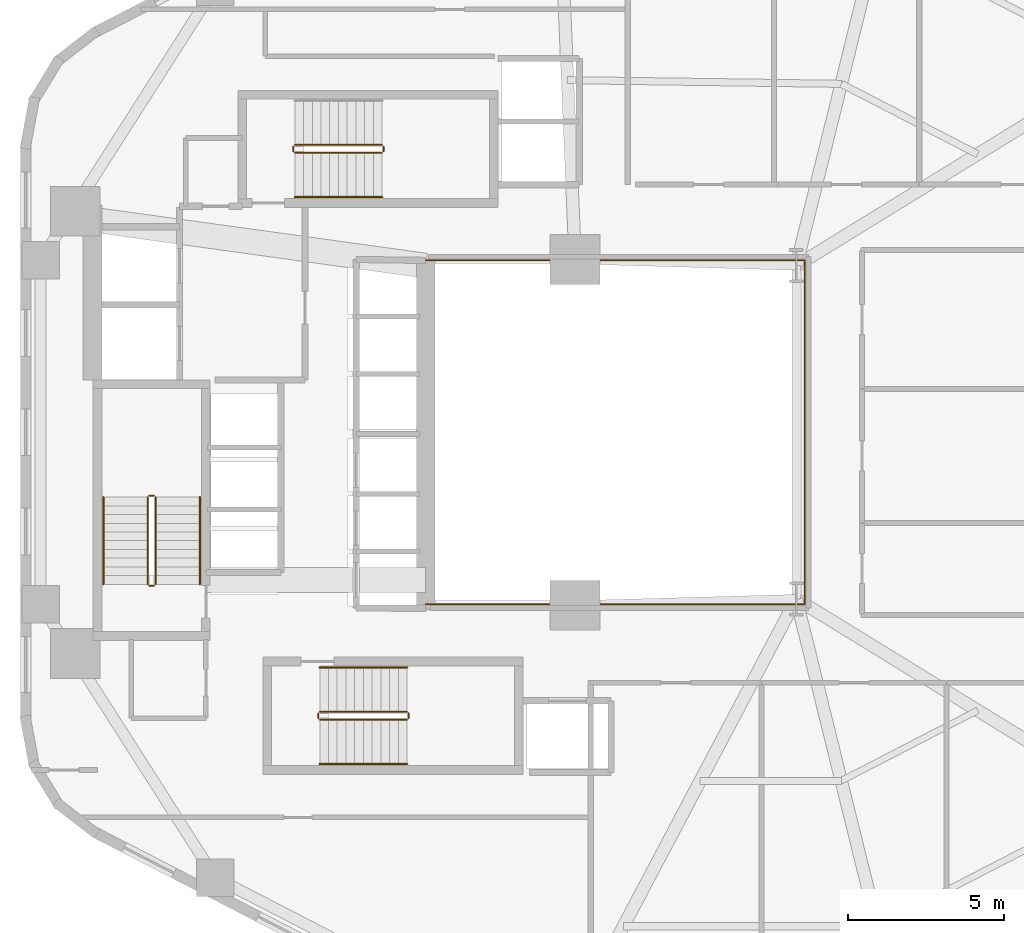
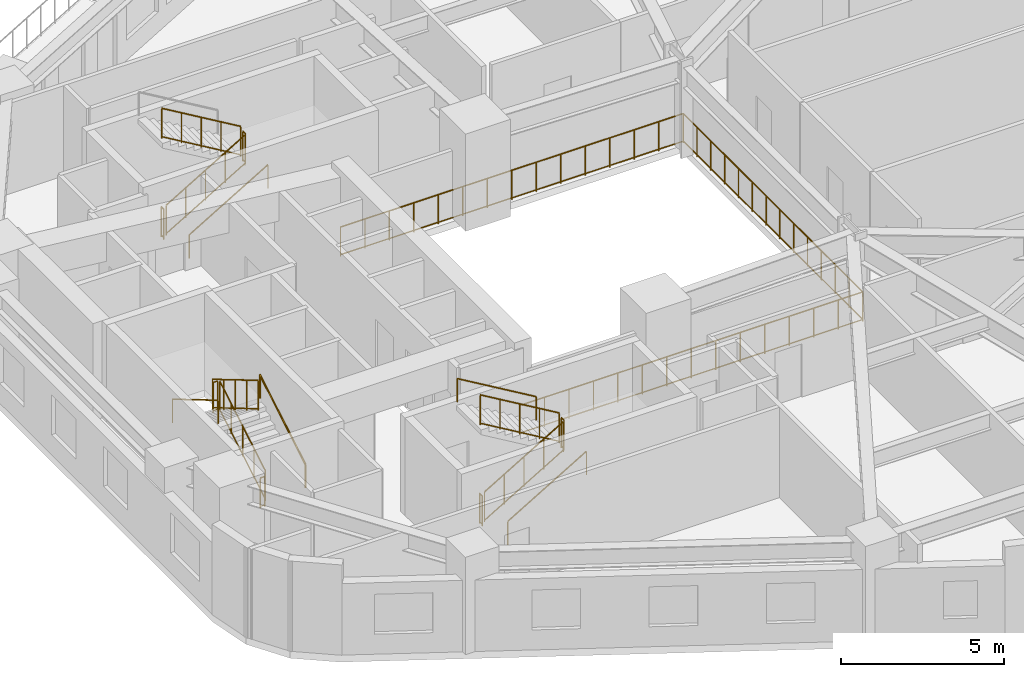
# One storey, part 7 of 8: 18 railings.
"""IFC4 building model written with IfcOpenShell, lengths in metres."""

from ifc_helpers import new_model, si_unit, direction, frame, origin, origin_2d, place, context, subcontext, project, spatial, circle, extrude, material, type_object, element, save


model = new_model("IFC4")

# Units and contexts
model_context = context("Model", 3, precision=1e-05, world=origin(), true_north=direction((0.0, 1.0)))
body_context = subcontext(model_context, "Body", "Model", "MODEL_VIEW")
ifc_project = project(units=[si_unit("LENGTHUNIT", "METRE"), si_unit("AREAUNIT", "SQUARE_METRE"), si_unit("VOLUMEUNIT", "CUBIC_METRE"), si_unit("PLANEANGLEUNIT", "RADIAN"), si_unit("MASSUNIT", "GRAM", prefix="KILO"), si_unit("THERMODYNAMICTEMPERATUREUNIT", "KELVIN"), si_unit("POWERUNIT", "WATT")], contexts=[model_context])

# Site, building, storey
site_placement = place(None, origin())
site = spatial("IfcSite", under=ifc_project, at=site_placement, CompositionType="ELEMENT")
building_placement = place(site_placement, origin())
building = spatial("IfcBuilding", under=site, at=building_placement, Name="Skarre Station Tower", CompositionType="ELEMENT")
storey_placement = place(building_placement, frame((0.0, 0.0, 45.25)))
storey = spatial("IfcBuildingStorey", under=building, at=storey_placement, Name="L11", CompositionType="ELEMENT", Elevation=45.25)

# Railings
ifc_material_1 = material(Name="Bronze Anodized Steel & Laminated Glass Balustrade", Category="steel")
railing_type_1 = type_object("IfcRailingType", Name="Atrium Void & Mezzanine Guard Balustrade 1120", PredefinedType="GUARDRAIL", material=ifc_material_1)
railing_1_placement = place(storey_placement, frame((27.550048828125, 18.47998046875, 0.0)))
element("IfcRailing", 1, at=railing_1_placement, inside=storey, type_object=railing_type_1, Name="L11 Atrium Void Guard Balustrade", PredefinedType="GUARDRAIL", context=body_context, shape_type="SweptSolid", body=[
    extrude(circle(Radius=0.02392578125, at=origin_2d()), frame((0.0, 0.0, 1.09619140625), z_axis=(1.0, 0.0, 0.0), x_axis=(0.0, 1.0, 0.0)), (0.0, 0.0, 1.0), 12.169921875),
    extrude(circle(Radius=0.02099609375, at=origin_2d()), frame((0.0, 0.0, 0.06005859375), z_axis=(1.0, 0.0, 0.0), x_axis=(0.0, 1.0, 0.0)), (0.0, 0.0, 1.0), 12.169921875),
    extrude(circle(Radius=0.02392578125, at=origin_2d()), frame((12.169921875, 0.0, 1.09619140625), z_axis=(0.0, 1.0, 0.0), x_axis=(-1.0, 0.0, 0.0)), (0.0, 0.0, 1.0), 11.0400390625),
    extrude(circle(Radius=0.02099609375, at=origin_2d()), frame((12.169921875, 0.0, 0.06005859375), z_axis=(0.0, 1.0, 0.0), x_axis=(-1.0, 0.0, 0.0)), (0.0, 0.0, 1.0), 11.0400390625),
    extrude(circle(Radius=0.02392578125, at=origin_2d()), frame((12.169921875, 11.0400390625, 1.09619140625), z_axis=(-1.0, 0.0, 0.0), x_axis=(0.0, -1.0, 0.0)), (0.0, 0.0, 1.0), 12.169921875),
    extrude(circle(Radius=0.02099609375, at=origin_2d()), frame((12.169921875, 11.0400390625, 0.06005859375), z_axis=(-1.0, 0.0, 0.0), x_axis=(0.0, -1.0, 0.0)), (0.0, 0.0, 1.0), 12.169921875),
    extrude(circle(Radius=0.02099609375, at=origin_2d()), origin(), (0.0, 0.0, 1.0), 1.072021484375),
    extrude(circle(Radius=0.02099609375, at=origin_2d()), frame((0.869384765625, 0.0, 0.0)), (0.0, 0.0, 1.0), 1.072021484375),
    extrude(circle(Radius=0.02099609375, at=origin_2d()), frame((1.738525390625, 0.0, 0.0)), (0.0, 0.0, 1.0), 1.072021484375),
    extrude(circle(Radius=0.02099609375, at=origin_2d()), frame((2.60791015625, 0.0, 0.0)), (0.0, 0.0, 1.0), 1.072021484375),
    extrude(circle(Radius=0.02099609375, at=origin_2d()), frame((3.47705078125, 0.0, 0.0)), (0.0, 0.0, 1.0), 1.072021484375),
    extrude(circle(Radius=0.02099609375, at=origin_2d()), frame((4.346435546875, 0.0, 0.0)), (0.0, 0.0, 1.0), 1.072021484375),
    extrude(circle(Radius=0.02099609375, at=origin_2d()), frame((5.215576171875, 0.0, 0.0)), (0.0, 0.0, 1.0), 1.072021484375),
    extrude(circle(Radius=0.02099609375, at=origin_2d()), frame((6.0849609375, 0.0, 0.0)), (0.0, 0.0, 1.0), 1.072021484375),
    extrude(circle(Radius=0.02099609375, at=origin_2d()), frame((6.954345703125, 0.0, 0.0)), (0.0, 0.0, 1.0), 1.072021484375),
    extrude(circle(Radius=0.02099609375, at=origin_2d()), frame((7.823486328125, 0.0, 0.0)), (0.0, 0.0, 1.0), 1.072021484375),
    extrude(circle(Radius=0.02099609375, at=origin_2d()), frame((8.69287109375, 0.0, 0.0)), (0.0, 0.0, 1.0), 1.072021484375),
    extrude(circle(Radius=0.02099609375, at=origin_2d()), frame((9.56201171875, 0.0, 0.0)), (0.0, 0.0, 1.0), 1.072021484375),
    extrude(circle(Radius=0.02099609375, at=origin_2d()), frame((10.431396484375, 0.0, 0.0)), (0.0, 0.0, 1.0), 1.072021484375),
    extrude(circle(Radius=0.02099609375, at=origin_2d()), frame((11.300537109375, 0.0, 0.0)), (0.0, 0.0, 1.0), 1.072021484375),
    extrude(circle(Radius=0.02099609375, at=origin_2d()), frame((12.169921875, 0.0, 0.0)), (0.0, 0.0, 1.0), 1.072021484375),
    extrude(circle(Radius=0.02099609375, at=origin_2d()), frame((12.169921875, 0.84912109375, 0.0)), (0.0, 0.0, 1.0), 1.072021484375),
    extrude(circle(Radius=0.02099609375, at=origin_2d()), frame((12.169921875, 1.698486328125, 0.0)), (0.0, 0.0, 1.0), 1.072021484375),
    extrude(circle(Radius=0.02099609375, at=origin_2d()), frame((12.169921875, 2.547607421875, 0.0)), (0.0, 0.0, 1.0), 1.072021484375),
    extrude(circle(Radius=0.02099609375, at=origin_2d()), frame((12.169921875, 3.39697265625, 0.0)), (0.0, 0.0, 1.0), 1.072021484375),
    extrude(circle(Radius=0.02099609375, at=origin_2d()), frame((12.169921875, 4.24609375, 0.0)), (0.0, 0.0, 1.0), 1.072021484375),
    extrude(circle(Radius=0.02099609375, at=origin_2d()), frame((12.169921875, 5.095458984375, 0.0)), (0.0, 0.0, 1.0), 1.072021484375),
    extrude(circle(Radius=0.02099609375, at=origin_2d()), frame((12.169921875, 5.944580078125, 0.0)), (0.0, 0.0, 1.0), 1.072021484375),
    extrude(circle(Radius=0.02099609375, at=origin_2d()), frame((12.169921875, 6.7939453125, 0.0)), (0.0, 0.0, 1.0), 1.072021484375),
    extrude(circle(Radius=0.02099609375, at=origin_2d()), frame((12.169921875, 7.64306640625, 0.0)), (0.0, 0.0, 1.0), 1.072021484375),
    extrude(circle(Radius=0.02099609375, at=origin_2d()), frame((12.169921875, 8.492431640625, 0.0)), (0.0, 0.0, 1.0), 1.072021484375),
    extrude(circle(Radius=0.02099609375, at=origin_2d()), frame((12.169921875, 9.341552734375, 0.0)), (0.0, 0.0, 1.0), 1.072021484375),
    extrude(circle(Radius=0.02099609375, at=origin_2d()), frame((12.169921875, 10.19091796875, 0.0)), (0.0, 0.0, 1.0), 1.072021484375),
    extrude(circle(Radius=0.02099609375, at=origin_2d()), frame((12.169921875, 11.0400390625, 0.0)), (0.0, 0.0, 1.0), 1.072021484375),
    extrude(circle(Radius=0.02099609375, at=origin_2d()), frame((11.300537109375, 11.0400390625, 0.0)), (0.0, 0.0, 1.0), 1.072021484375),
    extrude(circle(Radius=0.02099609375, at=origin_2d()), frame((10.431396484375, 11.0400390625, 0.0)), (0.0, 0.0, 1.0), 1.072021484375),
    extrude(circle(Radius=0.02099609375, at=origin_2d()), frame((9.56201171875, 11.0400390625, 0.0)), (0.0, 0.0, 1.0), 1.072021484375),
    extrude(circle(Radius=0.02099609375, at=origin_2d()), frame((8.69287109375, 11.0400390625, 0.0)), (0.0, 0.0, 1.0), 1.072021484375),
    extrude(circle(Radius=0.02099609375, at=origin_2d()), frame((7.823486328125, 11.0400390625, 0.0)), (0.0, 0.0, 1.0), 1.072021484375),
    extrude(circle(Radius=0.02099609375, at=origin_2d()), frame((6.954345703125, 11.0400390625, 0.0)), (0.0, 0.0, 1.0), 1.072021484375),
    extrude(circle(Radius=0.02099609375, at=origin_2d()), frame((6.0849609375, 11.0400390625, 0.0)), (0.0, 0.0, 1.0), 1.072021484375),
    extrude(circle(Radius=0.02099609375, at=origin_2d()), frame((5.215576171875, 11.0400390625, 0.0)), (0.0, 0.0, 1.0), 1.072021484375),
    extrude(circle(Radius=0.02099609375, at=origin_2d()), frame((4.346435546875, 11.0400390625, 0.0)), (0.0, 0.0, 1.0), 1.072021484375),
    extrude(circle(Radius=0.02099609375, at=origin_2d()), frame((3.47705078125, 11.0400390625, 0.0)), (0.0, 0.0, 1.0), 1.072021484375),
    extrude(circle(Radius=0.02099609375, at=origin_2d()), frame((2.60791015625, 11.0400390625, 0.0)), (0.0, 0.0, 1.0), 1.072021484375),
    extrude(circle(Radius=0.02099609375, at=origin_2d()), frame((1.738525390625, 11.0400390625, 0.0)), (0.0, 0.0, 1.0), 1.072021484375),
    extrude(circle(Radius=0.02099609375, at=origin_2d()), frame((0.869384765625, 11.0400390625, 0.0)), (0.0, 0.0, 1.0), 1.072021484375),
    extrude(circle(Radius=0.02099609375, at=origin_2d()), frame((0.0, 11.0400390625, 0.0)), (0.0, 0.0, 1.0), 1.072021484375),
])
ifc_material_2 = material(Name="Powder-Coated Tubular Steel", Category="steel")
railing_type_2 = type_object("IfcRailingType", Name="Painted Steel Ramp & Stair Handrail 920", PredefinedType="HANDRAIL", material=ifc_material_2)
railing_2_placement = place(storey_placement, frame((20.300048828125, 19.1201171875, 0.166015625)))
element("IfcRailing", 2, at=railing_2_placement, inside=storey, type_object=railing_type_2, Name="L11 ST-1 stair handrail 1", PredefinedType="HANDRAIL", context=body_context, shape_type="SweptSolid", body=[
    extrude(circle(Radius=0.02392578125, at=origin_2d()), frame((0.0, 0.0, 0.8759765625), z_axis=(0.0, 0.860319559791, 0.509755093197), x_axis=(-1.0, 0.0, 0.0)), (0.0, 0.0, 1.0), 3.25439453125),
    extrude(circle(Radius=0.02099609375, at=origin_2d()), origin(), (0.0, 0.0, 1.0), 0.851806640625),
    extrude(circle(Radius=0.02099609375, at=origin_2d()), frame((0.0, 2.7998046875, 1.658935546875)), (0.0, 0.0, 1.0), 0.851806640625),
])
railing_3_placement = place(storey_placement, frame((17.199951171875, 21.919921875, 1.990966796875)))
element("IfcRailing", 3, at=railing_3_placement, inside=storey, type_object=railing_type_2, Name="L11 ST-1 stair handrail 2", PredefinedType="HANDRAIL", context=body_context, shape_type="SweptSolid", body=[
    extrude(circle(Radius=0.02392578125, at=origin_2d()), frame((0.0, 0.0, 0.8759765625), z_axis=(0.0, -0.860319559791, 0.509755093197), x_axis=(1.0, 0.0, 0.0)), (0.0, 0.0, 1.0), 3.25439453125),
    extrude(circle(Radius=0.02099609375, at=origin_2d()), origin(), (0.0, 0.0, 1.0), 0.851806640625),
    extrude(circle(Radius=0.02099609375, at=origin_2d()), frame((0.0, -2.7998046875, 1.658935546875)), (0.0, 0.0, 1.0), 0.851806640625),
])
railing_4_placement = place(storey_placement, frame((24.14990234375, 13.35009765625, 0.166015625)))
element("IfcRailing", 4, at=railing_4_placement, inside=storey, type_object=railing_type_2, Name="L11 ST-2 stair handrail 1", PredefinedType="HANDRAIL", context=body_context, shape_type="SweptSolid", body=[
    extrude(circle(Radius=0.02392578125, at=origin_2d()), frame((0.0, 0.0, 0.8759765625), z_axis=(0.860339051648, 0.0, 0.50972219513), x_axis=(0.0, 1.0, 0.0)), (0.0, 0.0, 1.0), 3.254638671875),
    extrude(circle(Radius=0.02099609375, at=origin_2d()), origin(), (0.0, 0.0, 1.0), 0.851806640625),
    extrude(circle(Radius=0.02099609375, at=origin_2d()), frame((2.800048828125, 0.0, 1.658935546875)), (0.0, 0.0, 1.0), 0.851806640625),
])
railing_5_placement = place(storey_placement, frame((26.949951171875, 16.449951171875, 1.990966796875)))
element("IfcRailing", 5, at=railing_5_placement, inside=storey, type_object=railing_type_2, Name="L11 ST-2 stair handrail 2", PredefinedType="HANDRAIL", context=body_context, shape_type="SweptSolid", body=[
    extrude(circle(Radius=0.02392578125, at=origin_2d()), frame((0.0, 0.0, 0.8759765625), z_axis=(-0.860339051648, 0.0, 0.50972219513), x_axis=(0.0, -1.0, 0.0)), (0.0, 0.0, 1.0), 3.254638671875),
    extrude(circle(Radius=0.02099609375, at=origin_2d()), origin(), (0.0, 0.0, 1.0), 0.851806640625),
    extrude(circle(Radius=0.02099609375, at=origin_2d()), frame((-2.800048828125, 0.0, 1.658935546875)), (0.0, 0.0, 1.0), 0.851806640625),
])
railing_6_placement = place(storey_placement, frame((23.35009765625, 31.550048828125, 0.166015625)))
element("IfcRailing", 6, at=railing_6_placement, inside=storey, type_object=railing_type_2, Name="L11 ST-3 stair handrail 1", PredefinedType="HANDRAIL", context=body_context, shape_type="SweptSolid", body=[
    extrude(circle(Radius=0.02392578125, at=origin_2d()), frame((0.0, 0.0, 0.8759765625), z_axis=(0.860319559791, 0.0, 0.509755093197), x_axis=(0.0, 1.0, 0.0)), (0.0, 0.0, 1.0), 3.25439453125),
    extrude(circle(Radius=0.02099609375, at=origin_2d()), origin(), (0.0, 0.0, 1.0), 0.851806640625),
    extrude(circle(Radius=0.02099609375, at=origin_2d()), frame((2.7998046875, 0.0, 1.658935546875)), (0.0, 0.0, 1.0), 0.851806640625),
])
railing_type_3 = type_object("IfcRailingType", Name="Painted Steel Stairwell Guardrail 1100", PredefinedType="GUARDRAIL", material=ifc_material_2)
railing_7_placement = place(storey_placement, frame((18.8798828125, 19.1201171875, 0.166015625)))
element("IfcRailing", 7, at=railing_7_placement, inside=storey, type_object=railing_type_3, Name="L11 ST-1 stair guard 1", PredefinedType="GUARDRAIL", context=body_context, shape_type="SweptSolid", body=[
    extrude(circle(Radius=0.02392578125, at=origin_2d()), frame((0.0, 0.0, 1.1259765625), z_axis=(0.0, 0.860319559791, 0.509755093197), x_axis=(-1.0, 0.0, 0.0)), (0.0, 0.0, 1.0), 3.25439453125),
    extrude(circle(Radius=0.02099609375, at=origin_2d()), frame((0.0, 0.0, 0.06005859375), z_axis=(0.0, 0.860319559791, 0.509755093197), x_axis=(-1.0, 0.0, 0.0)), (0.0, 0.0, 1.0), 3.25439453125),
    extrude(circle(Radius=0.02099609375, at=origin_2d()), origin(), (0.0, 0.0, 1.0), 1.101806640625),
    extrude(circle(Radius=0.02099609375, at=origin_2d()), frame((0.0, 0.699951171875, 0.414794921875)), (0.0, 0.0, 1.0), 1.101806640625),
    extrude(circle(Radius=0.02099609375, at=origin_2d()), frame((0.0, 1.39990234375, 0.82958984375)), (0.0, 0.0, 1.0), 1.101806640625),
    extrude(circle(Radius=0.02099609375, at=origin_2d()), frame((0.0, 2.099853515625, 1.244140625)), (0.0, 0.0, 1.0), 1.101806640625),
    extrude(circle(Radius=0.02099609375, at=origin_2d()), frame((0.0, 2.7998046875, 1.658935546875)), (0.0, 0.0, 1.0), 1.101806640625),
])
railing_8_placement = place(storey_placement, frame((18.830078125, 21.969970703125, 1.824951171875)))
element("IfcRailing", 8, at=railing_8_placement, inside=storey, type_object=railing_type_3, Name="L11 ST-1 stair guard 2", PredefinedType="GUARDRAIL", context=body_context, shape_type="SweptSolid", body=[
    extrude(circle(Radius=0.02392578125, at=origin_2d()), frame((0.0, 0.0, 1.1259765625), z_axis=(-1.0, 0.0, 0.0), x_axis=(0.0, -1.0, 0.0)), (0.0, 0.0, 1.0), 0.16015625),
    extrude(circle(Radius=0.02099609375, at=origin_2d()), frame((0.0, 0.0, 0.06005859375), z_axis=(-1.0, 0.0, 0.0), x_axis=(0.0, -1.0, 0.0)), (0.0, 0.0, 1.0), 0.16015625),
    extrude(circle(Radius=0.02099609375, at=origin_2d()), origin(), (0.0, 0.0, 1.0), 1.101806640625),
    extrude(circle(Radius=0.02099609375, at=origin_2d()), frame((-0.16015625, 0.0, 0.0)), (0.0, 0.0, 1.0), 1.101806640625),
])
railing_9_placement = place(storey_placement, frame((18.6201171875, 21.919921875, 1.990966796875)))
element("IfcRailing", 9, at=railing_9_placement, inside=storey, type_object=railing_type_3, Name="L11 ST-1 stair guard 3", PredefinedType="GUARDRAIL", context=body_context, shape_type="SweptSolid", body=[
    extrude(circle(Radius=0.02392578125, at=origin_2d()), frame((0.0, 0.0, 1.1259765625), z_axis=(0.0, -0.860319559791, 0.509755093197), x_axis=(1.0, 0.0, 0.0)), (0.0, 0.0, 1.0), 3.25439453125),
    extrude(circle(Radius=0.02099609375, at=origin_2d()), frame((0.0, 0.0, 0.06005859375), z_axis=(0.0, -0.860319559791, 0.509755093197), x_axis=(1.0, 0.0, 0.0)), (0.0, 0.0, 1.0), 3.25439453125),
    extrude(circle(Radius=0.02099609375, at=origin_2d()), origin(), (0.0, 0.0, 1.0), 1.101806640625),
    extrude(circle(Radius=0.02099609375, at=origin_2d()), frame((0.0, -0.699951171875, 0.414794921875)), (0.0, 0.0, 1.0), 1.101806640625),
    extrude(circle(Radius=0.02099609375, at=origin_2d()), frame((0.0, -1.39990234375, 0.82958984375)), (0.0, 0.0, 1.0), 1.101806640625),
    extrude(circle(Radius=0.02099609375, at=origin_2d()), frame((0.0, -2.099853515625, 1.244140625)), (0.0, 0.0, 1.0), 1.101806640625),
    extrude(circle(Radius=0.02099609375, at=origin_2d()), frame((0.0, -2.7998046875, 1.658935546875)), (0.0, 0.0, 1.0), 1.101806640625),
])
railing_10_placement = place(storey_placement, frame((18.830078125, 19.070068359375, 0.0)))
element("IfcRailing", 10, at=railing_10_placement, inside=storey, type_object=railing_type_3, Name="L11 ST-1 stair guard 4", PredefinedType="GUARDRAIL", context=body_context, shape_type="SweptSolid", body=[
    extrude(circle(Radius=0.02392578125, at=origin_2d()), frame((0.0, 0.0, 1.1259765625), z_axis=(-1.0, 0.0, 0.0), x_axis=(0.0, -1.0, 0.0)), (0.0, 0.0, 1.0), 0.16015625),
    extrude(circle(Radius=0.02099609375, at=origin_2d()), frame((0.0, 0.0, 0.06005859375), z_axis=(-1.0, 0.0, 0.0), x_axis=(0.0, -1.0, 0.0)), (0.0, 0.0, 1.0), 0.16015625),
    extrude(circle(Radius=0.02099609375, at=origin_2d()), origin(), (0.0, 0.0, 1.0), 1.101806640625),
    extrude(circle(Radius=0.02099609375, at=origin_2d()), frame((-0.16015625, 0.0, 0.0)), (0.0, 0.0, 1.0), 1.101806640625),
])
railing_11_placement = place(storey_placement, frame((24.14990234375, 14.77001953125, 0.166015625)))
element("IfcRailing", 11, at=railing_11_placement, inside=storey, type_object=railing_type_3, Name="L11 ST-2 stair guard 1", PredefinedType="GUARDRAIL", context=body_context, shape_type="SweptSolid", body=[
    extrude(circle(Radius=0.02392578125, at=origin_2d()), frame((0.0, 0.0, 1.1259765625), z_axis=(0.860339051648, 0.0, 0.50972219513), x_axis=(0.0, 1.0, 0.0)), (0.0, 0.0, 1.0), 3.254638671875),
    extrude(circle(Radius=0.02099609375, at=origin_2d()), frame((0.0, 0.0, 0.06005859375), z_axis=(0.860339051648, 0.0, 0.50972219513), x_axis=(0.0, 1.0, 0.0)), (0.0, 0.0, 1.0), 3.254638671875),
    extrude(circle(Radius=0.02099609375, at=origin_2d()), origin(), (0.0, 0.0, 1.0), 1.101806640625),
    extrude(circle(Radius=0.02099609375, at=origin_2d()), frame((0.699951171875, 0.0, 0.414794921875)), (0.0, 0.0, 1.0), 1.101806640625),
    extrude(circle(Radius=0.02099609375, at=origin_2d()), frame((1.39990234375, 0.0, 0.82958984375)), (0.0, 0.0, 1.0), 1.101806640625),
    extrude(circle(Radius=0.02099609375, at=origin_2d()), frame((2.10009765625, 0.0, 1.244140625)), (0.0, 0.0, 1.0), 1.101806640625),
    extrude(circle(Radius=0.02099609375, at=origin_2d()), frame((2.800048828125, 0.0, 1.658935546875)), (0.0, 0.0, 1.0), 1.101806640625),
])
railing_12_placement = place(storey_placement, frame((27.0, 14.820068359375, 1.824951171875)))
element("IfcRailing", 12, at=railing_12_placement, inside=storey, type_object=railing_type_3, Name="L11 ST-2 stair guard 2", PredefinedType="GUARDRAIL", context=body_context, shape_type="SweptSolid", body=[
    extrude(circle(Radius=0.02392578125, at=origin_2d()), frame((0.0, 0.0, 1.1259765625), z_axis=(0.0, 1.0, 0.0), x_axis=(-1.0, 0.0, 0.0)), (0.0, 0.0, 1.0), 0.159912109375),
    extrude(circle(Radius=0.02099609375, at=origin_2d()), frame((0.0, 0.0, 0.06005859375), z_axis=(0.0, 1.0, 0.0), x_axis=(-1.0, 0.0, 0.0)), (0.0, 0.0, 1.0), 0.159912109375),
    extrude(circle(Radius=0.02099609375, at=origin_2d()), origin(), (0.0, 0.0, 1.0), 1.101806640625),
    extrude(circle(Radius=0.02099609375, at=origin_2d()), frame((0.0, 0.159912109375, 0.0)), (0.0, 0.0, 1.0), 1.101806640625),
])
railing_13_placement = place(storey_placement, frame((26.949951171875, 15.030029296875, 1.990966796875)))
element("IfcRailing", 13, at=railing_13_placement, inside=storey, type_object=railing_type_3, Name="L11 ST-2 stair guard 3", PredefinedType="GUARDRAIL", context=body_context, shape_type="SweptSolid", body=[
    extrude(circle(Radius=0.02392578125, at=origin_2d()), frame((0.0, 0.0, 1.1259765625), z_axis=(-0.860339051648, 0.0, 0.50972219513), x_axis=(0.0, -1.0, 0.0)), (0.0, 0.0, 1.0), 3.254638671875),
    extrude(circle(Radius=0.02099609375, at=origin_2d()), frame((0.0, 0.0, 0.06005859375), z_axis=(-0.860339051648, 0.0, 0.50972219513), x_axis=(0.0, -1.0, 0.0)), (0.0, 0.0, 1.0), 3.254638671875),
    extrude(circle(Radius=0.02099609375, at=origin_2d()), origin(), (0.0, 0.0, 1.0), 1.101806640625),
    extrude(circle(Radius=0.02099609375, at=origin_2d()), frame((-0.699951171875, 0.0, 0.414794921875)), (0.0, 0.0, 1.0), 1.101806640625),
    extrude(circle(Radius=0.02099609375, at=origin_2d()), frame((-1.39990234375, 0.0, 0.82958984375)), (0.0, 0.0, 1.0), 1.101806640625),
    extrude(circle(Radius=0.02099609375, at=origin_2d()), frame((-2.10009765625, 0.0, 1.244140625)), (0.0, 0.0, 1.0), 1.101806640625),
    extrude(circle(Radius=0.02099609375, at=origin_2d()), frame((-2.800048828125, 0.0, 1.658935546875)), (0.0, 0.0, 1.0), 1.101806640625),
])
railing_14_placement = place(storey_placement, frame((24.10009765625, 14.820068359375, 0.0)))
element("IfcRailing", 14, at=railing_14_placement, inside=storey, type_object=railing_type_3, Name="L11 ST-2 stair guard 4", PredefinedType="GUARDRAIL", context=body_context, shape_type="SweptSolid", body=[
    extrude(circle(Radius=0.02392578125, at=origin_2d()), frame((0.0, 0.0, 1.1259765625), z_axis=(0.0, 1.0, 0.0), x_axis=(-1.0, 0.0, 0.0)), (0.0, 0.0, 1.0), 0.159912109375),
    extrude(circle(Radius=0.02099609375, at=origin_2d()), frame((0.0, 0.0, 0.06005859375), z_axis=(0.0, 1.0, 0.0), x_axis=(-1.0, 0.0, 0.0)), (0.0, 0.0, 1.0), 0.159912109375),
    extrude(circle(Radius=0.02099609375, at=origin_2d()), origin(), (0.0, 0.0, 1.0), 1.101806640625),
    extrude(circle(Radius=0.02099609375, at=origin_2d()), frame((0.0, 0.159912109375, 0.0)), (0.0, 0.0, 1.0), 1.101806640625),
])
railing_15_placement = place(storey_placement, frame((23.35009765625, 32.969970703125, 0.166015625)))
element("IfcRailing", 15, at=railing_15_placement, inside=storey, type_object=railing_type_3, Name="L11 ST-3 stair guard 1", PredefinedType="GUARDRAIL", context=body_context, shape_type="SweptSolid", body=[
    extrude(circle(Radius=0.02392578125, at=origin_2d()), frame((0.0, 0.0, 1.1259765625), z_axis=(0.860319559791, 0.0, 0.509755093197), x_axis=(0.0, 1.0, 0.0)), (0.0, 0.0, 1.0), 3.25439453125),
    extrude(circle(Radius=0.02099609375, at=origin_2d()), frame((0.0, 0.0, 0.06005859375), z_axis=(0.860319559791, 0.0, 0.509755093197), x_axis=(0.0, 1.0, 0.0)), (0.0, 0.0, 1.0), 3.25439453125),
    extrude(circle(Radius=0.02099609375, at=origin_2d()), origin(), (0.0, 0.0, 1.0), 1.101806640625),
    extrude(circle(Radius=0.02099609375, at=origin_2d()), frame((0.699951171875, 0.0, 0.414794921875)), (0.0, 0.0, 1.0), 1.101806640625),
    extrude(circle(Radius=0.02099609375, at=origin_2d()), frame((1.39990234375, 0.0, 0.82958984375)), (0.0, 0.0, 1.0), 1.101806640625),
    extrude(circle(Radius=0.02099609375, at=origin_2d()), frame((2.099853515625, 0.0, 1.244140625)), (0.0, 0.0, 1.0), 1.101806640625),
    extrude(circle(Radius=0.02099609375, at=origin_2d()), frame((2.7998046875, 0.0, 1.658935546875)), (0.0, 0.0, 1.0), 1.101806640625),
])
railing_16_placement = place(storey_placement, frame((26.199951171875, 33.02001953125, 1.824951171875)))
element("IfcRailing", 16, at=railing_16_placement, inside=storey, type_object=railing_type_3, Name="L11 ST-3 stair guard 2", PredefinedType="GUARDRAIL", context=body_context, shape_type="SweptSolid", body=[
    extrude(circle(Radius=0.02392578125, at=origin_2d()), frame((0.0, 0.0, 1.1259765625), z_axis=(0.0, 1.0, 0.0), x_axis=(-1.0, 0.0, 0.0)), (0.0, 0.0, 1.0), 0.159912109375),
    extrude(circle(Radius=0.02099609375, at=origin_2d()), frame((0.0, 0.0, 0.06005859375), z_axis=(0.0, 1.0, 0.0), x_axis=(-1.0, 0.0, 0.0)), (0.0, 0.0, 1.0), 0.159912109375),
    extrude(circle(Radius=0.02099609375, at=origin_2d()), origin(), (0.0, 0.0, 1.0), 1.101806640625),
    extrude(circle(Radius=0.02099609375, at=origin_2d()), frame((0.0, 0.159912109375, 0.0)), (0.0, 0.0, 1.0), 1.101806640625),
])
railing_17_placement = place(storey_placement, frame((26.14990234375, 33.22998046875, 1.990966796875)))
element("IfcRailing", 17, at=railing_17_placement, inside=storey, type_object=railing_type_3, Name="L11 ST-3 stair guard 3", PredefinedType="GUARDRAIL", context=body_context, shape_type="SweptSolid", body=[
    extrude(circle(Radius=0.02392578125, at=origin_2d()), frame((0.0, 0.0, 1.1259765625), z_axis=(-0.860319559791, 0.0, 0.509755093197), x_axis=(0.0, -1.0, 0.0)), (0.0, 0.0, 1.0), 3.25439453125),
    extrude(circle(Radius=0.02099609375, at=origin_2d()), frame((0.0, 0.0, 0.06005859375), z_axis=(-0.860319559791, 0.0, 0.509755093197), x_axis=(0.0, -1.0, 0.0)), (0.0, 0.0, 1.0), 3.25439453125),
    extrude(circle(Radius=0.02099609375, at=origin_2d()), origin(), (0.0, 0.0, 1.0), 1.101806640625),
    extrude(circle(Radius=0.02099609375, at=origin_2d()), frame((-0.699951171875, 0.0, 0.414794921875)), (0.0, 0.0, 1.0), 1.101806640625),
    extrude(circle(Radius=0.02099609375, at=origin_2d()), frame((-1.39990234375, 0.0, 0.82958984375)), (0.0, 0.0, 1.0), 1.101806640625),
    extrude(circle(Radius=0.02099609375, at=origin_2d()), frame((-2.099853515625, 0.0, 1.244140625)), (0.0, 0.0, 1.0), 1.101806640625),
    extrude(circle(Radius=0.02099609375, at=origin_2d()), frame((-2.7998046875, 0.0, 1.658935546875)), (0.0, 0.0, 1.0), 1.101806640625),
])
railing_18_placement = place(storey_placement, frame((23.300048828125, 33.02001953125, 0.0)))
element("IfcRailing", 18, at=railing_18_placement, inside=storey, type_object=railing_type_3, Name="L11 ST-3 stair guard 4", PredefinedType="GUARDRAIL", context=body_context, shape_type="SweptSolid", body=[
    extrude(circle(Radius=0.02392578125, at=origin_2d()), frame((0.0, 0.0, 1.1259765625), z_axis=(0.0, 1.0, 0.0), x_axis=(-1.0, 0.0, 0.0)), (0.0, 0.0, 1.0), 0.159912109375),
    extrude(circle(Radius=0.02099609375, at=origin_2d()), frame((0.0, 0.0, 0.06005859375), z_axis=(0.0, 1.0, 0.0), x_axis=(-1.0, 0.0, 0.0)), (0.0, 0.0, 1.0), 0.159912109375),
    extrude(circle(Radius=0.02099609375, at=origin_2d()), origin(), (0.0, 0.0, 1.0), 1.101806640625),
    extrude(circle(Radius=0.02099609375, at=origin_2d()), frame((0.0, 0.159912109375, 0.0)), (0.0, 0.0, 1.0), 1.101806640625),
])

save(model, "model.ifc")
